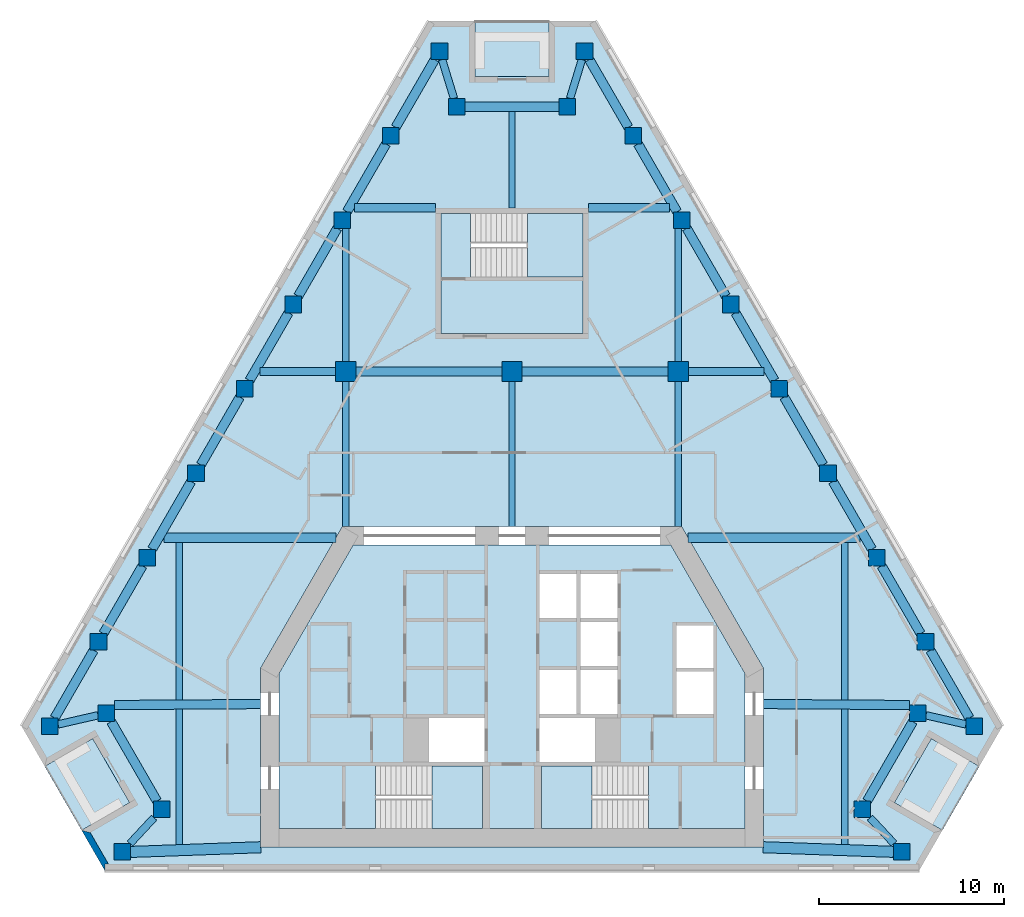
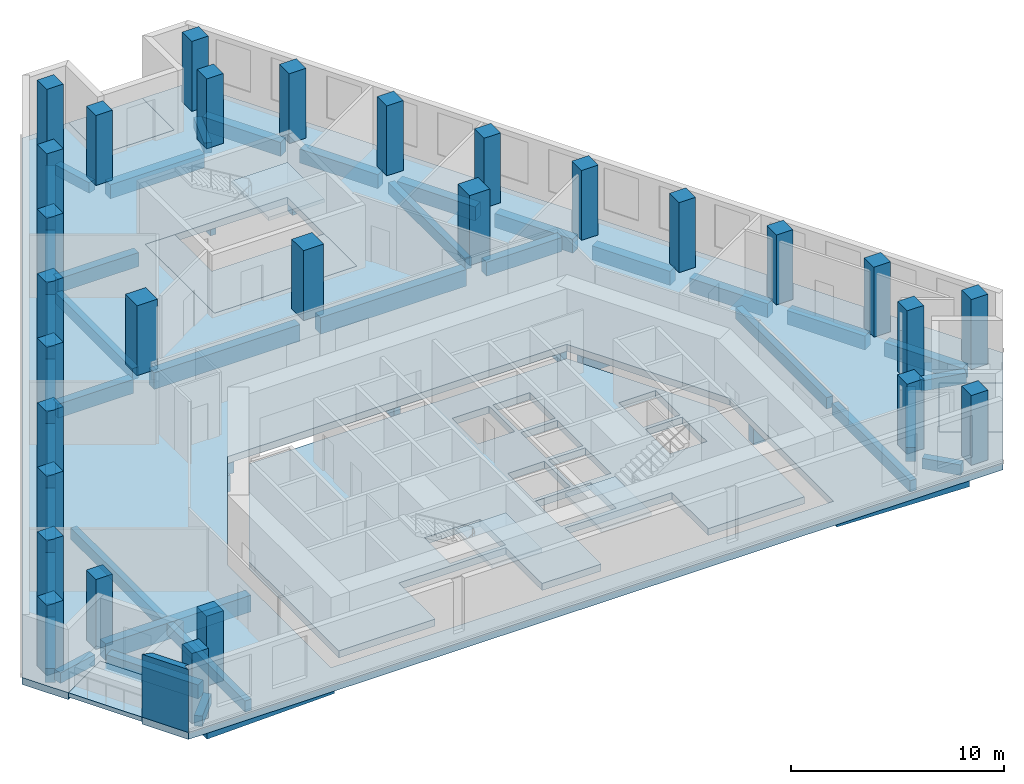
# One storey, part 1 of 8: 47 beams, 29 columns, 9 slabs, 1 wall, 3 elements without a shape of their own.
"""IFC4 building model written with IfcOpenShell, lengths in metres."""

from ifc_helpers import new_model, si_unit, direction, frame, origin, origin_2d, place, context, subcontext, project, spatial, polyline, rectangle, outline, extrude, material, layer, layer_set, material_profile, profile_set, type_object, element, aggregate, save


model = new_model("IFC4")

# Units and contexts
model_context = context("Model", 3, precision=1e-05, world=origin(), true_north=direction((0.0, 1.0)))
body_context = subcontext(model_context, "Body", "Model", "MODEL_VIEW")
ifc_project = project(units=[si_unit("LENGTHUNIT", "METRE"), si_unit("AREAUNIT", "SQUARE_METRE"), si_unit("VOLUMEUNIT", "CUBIC_METRE"), si_unit("PLANEANGLEUNIT", "RADIAN"), si_unit("MASSUNIT", "GRAM", prefix="KILO")], contexts=[model_context])

# Site, building, storey
site_placement = place(None, origin())
site = spatial("IfcSite", under=ifc_project, at=site_placement, CompositionType="ELEMENT")
building_placement = place(site_placement, origin())
building = spatial("IfcBuilding", under=site, at=building_placement, Name="Fogline Exchange Tower", CompositionType="ELEMENT")
storey_placement = place(building_placement, frame((0.0, 0.0, 239.5)))
storey = spatial("IfcBuildingStorey", under=building, at=storey_placement, Name="L54", CompositionType="ELEMENT", Elevation=239.5)

# Columns
ifc_material_1 = material(Name="Concrete C60", Category="concrete")
ifc_material_profile_1 = material_profile(ifc_material_1, rectangle(XDim=1.10009765625, YDim=1.10009765625, at=origin_2d()), Name="RC 1100x1100")
ifc_profile_set_1 = profile_set([ifc_material_profile_1], Name="Concrete C60")
column_type_1 = type_object("IfcColumnType", Name="C05", PredefinedType="COLUMN", material=ifc_profile_set_1)
for number, where, z_axis, x_axis, name in (
    (1, (-9.0, 27.0, 0.0), (0.0, 0.0, 1.0), (1.0, 0.0, 0.0), "IC--9-27"),
    (2, (0.0, 27.0, 0.0), (0.0, 0.0, 1.0), (1.0, 0.0, 0.0), "IC-0-27"),
    (3, (9.0, 27.0, 0.0), (0.0, 0.0, 1.0), (1.0, 0.0, 0.0), "IC-9-27"),
):
    element("IfcColumn", number, at=place(storey_placement, frame(where, z_axis=z_axis, x_axis=x_axis)), inside=storey, type_object=column_type_1, Name=name, PredefinedType="COLUMN", context=body_context, shape_type="SweptSolid", body=[
        extrude(rectangle(XDim=1.10009765625, YDim=1.10009765625, at=origin_2d()), origin(), (0.0, 0.0, 1.0), 4.0),
    ])
ifc_material_profile_2 = material_profile(ifc_material_1, rectangle(XDim=0.89990234375, YDim=0.89990234375, at=origin_2d()), Name="RC 900x900")
ifc_profile_set_2 = profile_set([ifc_material_profile_2], Name="Concrete C60")
column_type_2 = type_object("IfcColumnType", Name="C06", PredefinedType="COLUMN", material=ifc_profile_set_2)
for number, where, z_axis, x_axis, name in (
    (4, (-25.0146484375, 7.794189453125, 0.0), (0.0, 0.0, 1.0), (1.0, 0.0, 0.0), "SW-a"),
    (5, (-21.955322265625, 8.4951171875, 0.0), (0.0, 0.0, 1.0), (1.0, 0.0, 0.0), "SW-p4"),
    (6, (-18.955322265625, 3.299072265625, 0.0), (0.0, 0.0, 1.0), (1.0, 0.0, 0.0), "SW-p3"),
    (7, (-21.092041015625, 1.0, 0.0), (0.0, 0.0, 1.0), (1.0, 0.0, 0.0), "SW-b"),
    (8, (21.092041015625, 1.0, 0.0), (0.0, 0.0, 1.0), (1.0, 0.0, 0.0), "SE-a"),
    (9, (18.955322265625, 3.299072265625, 0.0), (0.0, 0.0, 1.0), (1.0, 0.0, 0.0), "SE-p4"),
    (10, (21.955322265625, 8.4951171875, 0.0), (0.0, 0.0, 1.0), (1.0, 0.0, 0.0), "SE-p3"),
    (11, (25.0146484375, 7.794189453125, 0.0), (0.0, 0.0, 1.0), (1.0, 0.0, 0.0), "SE-b"),
    (12, (22.378173828125, 12.36083984375, 0.0), (0.0, 0.0, 1.0), (1.0, 0.0, 0.0), "E1"),
    (13, (19.74169921875, 16.92724609375, 0.0), (0.0, 0.0, 1.0), (1.0, 0.0, 0.0), "E2"),
    (14, (17.105224609375, 21.493896484375, 0.0), (0.0, 0.0, 1.0), (1.0, 0.0, 0.0), "E3"),
    (15, (14.46875, 26.060302734375, 0.0), (0.0, 0.0, 1.0), (1.0, 0.0, 0.0), "E4"),
    (16, (11.832275390625, 30.626953125, 0.0), (0.0, 0.0, 1.0), (1.0, 0.0, 0.0), "E5"),
    (17, (9.19580078125, 35.193603515625, 0.0), (0.0, 0.0, 1.0), (1.0, 0.0, 0.0), "E6"),
    (18, (6.55908203125, 39.760009765625, 0.0), (0.0, 0.0, 1.0), (1.0, 0.0, 0.0), "E7"),
    (19, (3.922607421875, 44.32666015625, 0.0), (0.0, 0.0, 1.0), (1.0, 0.0, 0.0), "N-a"),
    (20, (3.0, 41.32666015625, 0.0), (0.0, 0.0, 1.0), (1.0, 0.0, 0.0), "N-p4"),
    (21, (-3.0, 41.32666015625, 0.0), (0.0, 0.0, 1.0), (1.0, 0.0, 0.0), "N-p3"),
    (22, (-3.922607421875, 44.32666015625, 0.0), (0.0, 0.0, 1.0), (1.0, 0.0, 0.0), "N-b"),
    (23, (-6.55908203125, 39.760009765625, 0.0), (0.0, 0.0, 1.0), (1.0, 0.0, 0.0), "W1"),
    (24, (-9.19580078125, 35.193603515625, 0.0), (0.0, 0.0, 1.0), (1.0, 0.0, 0.0), "W2"),
    (25, (-11.832275390625, 30.626953125, 0.0), (0.0, 0.0, 1.0), (1.0, 0.0, 0.0), "W3"),
    (26, (-14.46875, 26.060302734375, 0.0), (0.0, 0.0, 1.0), (1.0, 0.0, 0.0), "W4"),
    (27, (-17.105224609375, 21.493896484375, 0.0), (0.0, 0.0, 1.0), (1.0, 0.0, 0.0), "W5"),
    (28, (-19.74169921875, 16.92724609375, 0.0), (0.0, 0.0, 1.0), (1.0, 0.0, 0.0), "W6"),
    (29, (-22.378173828125, 12.36083984375, 0.0), (0.0, 0.0, 1.0), (1.0, 0.0, 0.0), "W7"),
):
    element("IfcColumn", number, at=place(storey_placement, frame(where, z_axis=z_axis, x_axis=x_axis)), inside=storey, type_object=column_type_2, Name=name, PredefinedType="COLUMN", context=body_context, shape_type="SweptSolid", body=[
        extrude(rectangle(XDim=0.89990234375, YDim=0.89990234375, at=origin_2d()), origin(), (0.0, 0.0, 1.0), 4.0),
    ])

# Beams
ifc_material_2 = material(Name="Concrete C40", Category="concrete")
ifc_material_profile_3 = material_profile(ifc_material_2, rectangle(XDim=0.300048828125, YDim=0.60009765625, at=origin_2d()), Name="RC 300x600")
ifc_profile_set_3 = profile_set([ifc_material_profile_3], Name="Concrete C40")
beam_type_1 = type_object("IfcBeamType", Name="B06", PredefinedType="BEAM", material=ifc_profile_set_3)
beam_1_placement = place(storey_placement, frame((0.0, 35.85693359375, -0.699951171875), z_axis=(0.0, 1.0, 0.0), x_axis=(-1.0, 0.0, 0.0)))
element("IfcBeam", 30, at=beam_1_placement, inside=storey, type_object=beam_type_1, Name="SB006", PredefinedType="BEAM", context=body_context, shape_type="SweptSolid", body=[
    extrude(rectangle(XDim=0.300048828125, YDim=0.60009765625, at=origin_2d()), origin(), (0.0, 0.0, 1.0), 5.2197265625),
])
ifc_material_profile_4 = material_profile(ifc_material_2, rectangle(XDim=0.60009765625, YDim=0.89990234375, at=origin_2d()), Name="RC 600x900")
ifc_profile_set_4 = profile_set([ifc_material_profile_4], Name="Concrete C40")
beam_type_2 = type_object("IfcBeamType", Name="B09", PredefinedType="BEAM", material=ifc_profile_set_4)
beam_2_placement = place(storey_placement, frame((-20.64208984375, 0.99462890625, -0.85009765625), z_axis=(0.999343107492, 0.036240219472, 0.0), x_axis=(-0.036240219472, 0.999343107492, 0.0)))
element("IfcBeam", 31, at=beam_2_placement, inside=storey, type_object=beam_type_2, Name="RB004", PredefinedType="BEAM", context=body_context, shape_type="SweptSolid", body=[
    extrude(rectangle(XDim=0.60009765625, YDim=0.89990234375, at=origin_2d()), origin(), (0.0, 0.0, 1.0), 7.046630859375),
])
beam_3_placement = place(storey_placement, frame((13.60009765625, 1.25, -0.85009765625), z_axis=(0.99937042328, -0.035478966629, 0.0), x_axis=(0.035478966629, 0.99937042328, 0.0)))
element("IfcBeam", 32, at=beam_3_placement, inside=storey, type_object=beam_type_2, Name="RB005", PredefinedType="BEAM", context=body_context, shape_type="SweptSolid", body=[
    extrude(rectangle(XDim=0.60009765625, YDim=0.89990234375, at=origin_2d()), origin(), (0.0, 0.0, 1.0), 7.04638671875),
])
ifc_material_profile_5 = material_profile(ifc_material_2, rectangle(XDim=0.5, YDim=0.800048828125, at=origin_2d()), Name="RC 500x800")
ifc_profile_set_5 = profile_set([ifc_material_profile_5], Name="Concrete C40")
beam_type_3 = type_object("IfcBeamType", Name="B10", PredefinedType="BEAM", material=ifc_profile_set_5)
for number, where, z_axis, x_axis, name in (
    (33, (-21.6953125, 8.045166015625, -0.800048828125), (0.499976646485, -0.866038886523, 0.0), (0.866038886523, 0.499976646485, 0.0), "RB002"),
    (34, (19.215087890625, 3.7490234375, -0.800048828125), (0.499976646485, 0.866038886523, 0.0), (-0.866038886523, 0.499976646485, 0.0), "RB007"),
):
    element("IfcBeam", number, at=place(storey_placement, frame(where, z_axis=z_axis, x_axis=x_axis)), inside=storey, type_object=beam_type_3, Name=name, PredefinedType="BEAM", context=body_context, shape_type="SweptSolid", body=[
        extrude(rectangle(XDim=0.5, YDim=0.800048828125, at=origin_2d()), origin(), (0.0, 0.0, 1.0), 4.960693359375),
    ])
beam_4_placement = place(storey_placement, frame((24.7548828125, 8.244140625, -0.800048828125), z_axis=(-0.499990325971, 0.866030989016, 0.0), x_axis=(-0.866030989016, -0.499990325971, 0.0)))
element("IfcBeam", 35, at=beam_4_placement, inside=storey, type_object=beam_type_3, Name="RB009", PredefinedType="BEAM", context=body_context, shape_type="SweptSolid", body=[
    extrude(rectangle(XDim=0.5, YDim=0.800048828125, at=origin_2d()), origin(), (0.0, 0.0, 1.0), 4.23388671875),
])
beam_5_placement = place(storey_placement, frame((22.118408203125, 12.810791015625, -0.800048828125), z_axis=(-0.500015295222, 0.866016572904, 0.0), x_axis=(-0.866016572904, -0.500015295222, 0.0)))
element("IfcBeam", 36, at=beam_5_placement, inside=storey, type_object=beam_type_3, Name="RB010", PredefinedType="BEAM", context=body_context, shape_type="SweptSolid", body=[
    extrude(rectangle(XDim=0.5, YDim=0.800048828125, at=origin_2d()), origin(), (0.0, 0.0, 1.0), 4.233642578125),
])
beam_6_placement = place(storey_placement, frame((19.481689453125, 17.377197265625, -0.800048828125), z_axis=(-0.499947076772, 0.866055956868, 0.0), x_axis=(-0.866055956868, -0.499947076772, 0.0)))
element("IfcBeam", 37, at=beam_6_placement, inside=storey, type_object=beam_type_3, Name="RB011", PredefinedType="BEAM", context=body_context, shape_type="SweptSolid", body=[
    extrude(rectangle(XDim=0.5, YDim=0.800048828125, at=origin_2d()), origin(), (0.0, 0.0, 1.0), 4.23388671875),
])
for number, where, z_axis, x_axis, name in (
    (38, (16.84521484375, 21.94384765625, -0.800048828125), (-0.499972045304, 0.866041542834, 0.0), (-0.866041542834, -0.499972045304, 0.0), "RB012"),
    (39, (14.208740234375, 26.510498046875, -0.800048828125), (-0.499972045304, 0.866041542834, 0.0), (-0.866041542834, -0.499972045304, 0.0), "RB013"),
    (40, (11.572265625, 31.076904296875, -0.800048828125), (-0.499972045304, 0.866041542834, 0.0), (-0.866041542834, -0.499972045304, 0.0), "RB014"),
    (41, (8.935791015625, 35.6435546875, -0.800048828125), (-0.499972045304, 0.866041542834, 0.0), (-0.866041542834, -0.499972045304, 0.0), "RB015"),
    (42, (6.29931640625, 40.210205078125, -0.800048828125), (-0.499972045304, 0.866041542834, 0.0), (-0.866041542834, -0.499972045304, 0.0), "RB016"),
):
    element("IfcBeam", number, at=place(storey_placement, frame(where, z_axis=z_axis, x_axis=x_axis)), inside=storey, type_object=beam_type_3, Name=name, PredefinedType="BEAM", context=body_context, shape_type="SweptSolid", body=[
        extrude(rectangle(XDim=0.5, YDim=0.800048828125, at=origin_2d()), origin(), (0.0, 0.0, 1.0), 4.233642578125),
    ])
beam_7_placement = place(storey_placement, frame((2.550048828125, 41.32666015625, -0.800048828125), z_axis=(-1.0, 0.0, 0.0), x_axis=(0.0, -1.0, 0.0)))
element("IfcBeam", 43, at=beam_7_placement, inside=storey, type_object=beam_type_3, Name="RB018", PredefinedType="BEAM", context=body_context, shape_type="SweptSolid", body=[
    extrude(rectangle(XDim=0.5, YDim=0.800048828125, at=origin_2d()), origin(), (0.0, 0.0, 1.0), 5.10009765625),
])
for number, where, z_axis, x_axis, name in (
    (44, (-4.1826171875, 43.876708984375, -0.800048828125), (-0.499972045304, -0.866041542834, 0.0), (0.866041542834, -0.499972045304, 0.0), "RB020"),
    (45, (-6.819091796875, 39.31005859375, -0.800048828125), (-0.499972045304, -0.866041542834, 0.0), (0.866041542834, -0.499972045304, 0.0), "RB021"),
    (46, (-9.45556640625, 34.743408203125, -0.800048828125), (-0.499972045304, -0.866041542834, 0.0), (0.866041542834, -0.499972045304, 0.0), "RB022"),
    (47, (-12.092041015625, 30.177001953125, -0.800048828125), (-0.499972045304, -0.866041542834, 0.0), (0.866041542834, -0.499972045304, 0.0), "RB023"),
    (48, (-14.728515625, 25.6103515625, -0.800048828125), (-0.499972045304, -0.866041542834, 0.0), (0.866041542834, -0.499972045304, 0.0), "RB024"),
):
    element("IfcBeam", number, at=place(storey_placement, frame(where, z_axis=z_axis, x_axis=x_axis)), inside=storey, type_object=beam_type_3, Name=name, PredefinedType="BEAM", context=body_context, shape_type="SweptSolid", body=[
        extrude(rectangle(XDim=0.5, YDim=0.800048828125, at=origin_2d()), origin(), (0.0, 0.0, 1.0), 4.233642578125),
    ])
beam_8_placement = place(storey_placement, frame((-17.364990234375, 21.0439453125, -0.800048828125), z_axis=(-0.499947076772, -0.866055956868, 0.0), x_axis=(0.866055956868, -0.499947076772, 0.0)))
element("IfcBeam", 49, at=beam_8_placement, inside=storey, type_object=beam_type_3, Name="RB025", PredefinedType="BEAM", context=body_context, shape_type="SweptSolid", body=[
    extrude(rectangle(XDim=0.5, YDim=0.800048828125, at=origin_2d()), origin(), (0.0, 0.0, 1.0), 4.23388671875),
])
beam_9_placement = place(storey_placement, frame((-20.00146484375, 16.477294921875, -0.800048828125), z_axis=(-0.500015295222, -0.866016572904, 0.0), x_axis=(0.866016572904, -0.500015295222, 0.0)))
element("IfcBeam", 50, at=beam_9_placement, inside=storey, type_object=beam_type_3, Name="RB026", PredefinedType="BEAM", context=body_context, shape_type="SweptSolid", body=[
    extrude(rectangle(XDim=0.5, YDim=0.800048828125, at=origin_2d()), origin(), (0.0, 0.0, 1.0), 4.233642578125),
])
beam_10_placement = place(storey_placement, frame((-22.637939453125, 11.910888671875, -0.800048828125), z_axis=(-0.499990325971, -0.866030989016, 0.0), x_axis=(0.866030989016, -0.499990325971, 0.0)))
element("IfcBeam", 51, at=beam_10_placement, inside=storey, type_object=beam_type_3, Name="RB027", PredefinedType="BEAM", context=body_context, shape_type="SweptSolid", body=[
    extrude(rectangle(XDim=0.5, YDim=0.800048828125, at=origin_2d()), origin(), (0.0, 0.0, 1.0), 4.23388671875),
])
ifc_material_profile_6 = material_profile(ifc_material_2, rectangle(XDim=0.39990234375, YDim=0.60009765625, at=origin_2d()), Name="RC 400x600")
ifc_profile_set_6 = profile_set([ifc_material_profile_6], Name="Concrete C40")
beam_type_4 = type_object("IfcBeamType", Name="B11", PredefinedType="BEAM", material=ifc_profile_set_6)
beam_11_placement = place(storey_placement, frame((-24.564697265625, 7.897216796875, -0.699951171875), z_axis=(0.974731818643, 0.223378337636, 0.0), x_axis=(-0.223378337636, 0.974731818643, 0.0)))
element("IfcBeam", 52, at=beam_11_placement, inside=storey, type_object=beam_type_4, Name="RB001", PredefinedType="BEAM", context=body_context, shape_type="SweptSolid", body=[
    extrude(rectangle(XDim=0.39990234375, YDim=0.60009765625, at=origin_2d()), origin(), (0.0, 0.0, 1.0), 2.21533203125),
])
for number, where, z_axis, x_axis, name in (
    (53, (-19.37353515625, 2.84912109375, -0.699951171875), (-0.68075009804, -0.732515736362, 0.0), (0.732515736362, -0.68075009804, 0.0), "RB003"),
    (54, (20.673828125, 1.449951171875, -0.699951171875), (-0.68075009804, 0.732515736362, 0.0), (-0.732515736362, -0.68075009804, 0.0), "RB006"),
):
    element("IfcBeam", number, at=place(storey_placement, frame(where, z_axis=z_axis, x_axis=x_axis)), inside=storey, type_object=beam_type_4, Name=name, PredefinedType="BEAM", context=body_context, shape_type="SweptSolid", body=[
        extrude(rectangle(XDim=0.39990234375, YDim=0.60009765625, at=origin_2d()), origin(), (0.0, 0.0, 1.0), 1.91015625),
    ])
beam_12_placement = place(storey_placement, frame((22.4052734375, 8.39208984375, -0.699951171875), z_axis=(0.974731818643, -0.223378337636, 0.0), x_axis=(0.223378337636, 0.974731818643, 0.0)))
element("IfcBeam", 55, at=beam_12_placement, inside=storey, type_object=beam_type_4, Name="RB008", PredefinedType="BEAM", context=body_context, shape_type="SweptSolid", body=[
    extrude(rectangle(XDim=0.39990234375, YDim=0.60009765625, at=origin_2d()), origin(), (0.0, 0.0, 1.0), 2.21533203125),
])
for number, where, z_axis, x_axis, name in (
    (56, (3.7841796875, 43.876708984375, -0.699951171875), (-0.293906253456, -0.95583425037, 0.0), (0.95583425037, -0.293906253456, 0.0), "RB017"),
    (57, (-3.138427734375, 41.776611328125, -0.699951171875), (-0.293906253456, 0.95583425037, 0.0), (-0.95583425037, -0.293906253456, 0.0), "RB019"),
):
    element("IfcBeam", number, at=place(storey_placement, frame(where, z_axis=z_axis, x_axis=x_axis)), inside=storey, type_object=beam_type_4, Name=name, PredefinedType="BEAM", context=body_context, shape_type="SweptSolid", body=[
        extrude(rectangle(XDim=0.39990234375, YDim=0.60009765625, at=origin_2d()), origin(), (0.0, 0.0, 1.0), 2.197021484375),
    ])
ifc_material_profile_7 = material_profile(ifc_material_2, rectangle(XDim=0.5, YDim=0.949951171875, at=origin_2d()), Name="RC 500x950")
ifc_profile_set_7 = profile_set([ifc_material_profile_7], Name="Concrete C40")
beam_type_5 = type_object("IfcBeamType", Name="B14", PredefinedType="BEAM", material=ifc_profile_set_7)
for number, where, z_axis, x_axis, name in (
    (58, (-21.50537109375, 8.9453125, -0.875), (0.999976072531, 0.006917684998, 0.0), (-0.006917684998, 0.999976072531, 0.0), "GB001"),
    (59, (13.60009765625, 9.0, -0.875), (0.999976072531, -0.006917684998, 0.0), (0.006917684998, 0.999976072531, 0.0), "GB002"),
):
    element("IfcBeam", number, at=place(storey_placement, frame(where, z_axis=z_axis, x_axis=x_axis)), inside=storey, type_object=beam_type_5, Name=name, PredefinedType="BEAM", context=body_context, shape_type="SweptSolid", body=[
        extrude(rectangle(XDim=0.5, YDim=0.949951171875, at=origin_2d()), origin(), (0.0, 0.0, 1.0), 7.905517578125),
    ])
for number, where, z_axis, x_axis, name in (
    (60, (-18.833740234375, 18.0, -0.875), (1.0, 0.0, 0.0), (0.0, 1.0, 0.0), "GB003"),
    (61, (9.527099609375, 18.0, -0.875), (1.0, 0.0, 0.0), (0.0, 1.0, 0.0), "GB004"),
):
    element("IfcBeam", number, at=place(storey_placement, frame(where, z_axis=z_axis, x_axis=x_axis)), inside=storey, type_object=beam_type_5, Name=name, PredefinedType="BEAM", context=body_context, shape_type="SweptSolid", body=[
        extrude(rectangle(XDim=0.5, YDim=0.949951171875, at=origin_2d()), origin(), (0.0, 0.0, 1.0), 9.306640625),
    ])
for number, where, z_axis, x_axis, name in (
    (62, (-8.449951171875, 27.0, -0.875), (1.0, 0.0, 0.0), (0.0, 1.0, 0.0), "GB006"),
    (63, (0.550048828125, 27.0, -0.875), (1.0, 0.0, 0.0), (0.0, 1.0, 0.0), "GB007"),
):
    element("IfcBeam", number, at=place(storey_placement, frame(where, z_axis=z_axis, x_axis=x_axis)), inside=storey, type_object=beam_type_5, Name=name, PredefinedType="BEAM", context=body_context, shape_type="SweptSolid", body=[
        extrude(rectangle(XDim=0.5, YDim=0.949951171875, at=origin_2d()), origin(), (0.0, 0.0, 1.0), 7.89990234375),
    ])
ifc_material_profile_8 = material_profile(ifc_material_2, rectangle(XDim=0.35009765625, YDim=0.64990234375, at=origin_2d()), Name="RC 350x650")
ifc_profile_set_8 = profile_set([ifc_material_profile_8], Name="Concrete C40")
beam_type_6 = type_object("IfcBeamType", Name="B16", PredefinedType="BEAM", material=ifc_profile_set_8)
beam_13_placement = place(storey_placement, frame((-18.0, 1.390625, -0.72509765625), z_axis=(0.0, 1.0, 0.0), x_axis=(-1.0, 0.0, 0.0)))
element("IfcBeam", 64, at=beam_13_placement, inside=storey, type_object=beam_type_6, Name="SB001", PredefinedType="BEAM", context=body_context, shape_type="SweptSolid", body=[
    extrude(rectangle(XDim=0.35009765625, YDim=0.64990234375, at=origin_2d()), origin(), (0.0, 0.0, 1.0), 7.328857421875),
])
beam_14_placement = place(storey_placement, frame((-18.0, 9.219482421875, -0.72509765625), z_axis=(0.0, 1.0, 0.0), x_axis=(-1.0, 0.0, 0.0)))
element("IfcBeam", 65, at=beam_14_placement, inside=storey, type_object=beam_type_6, Name="SB002", PredefinedType="BEAM", context=body_context, shape_type="SweptSolid", body=[
    extrude(rectangle(XDim=0.35009765625, YDim=0.64990234375, at=origin_2d()), origin(), (0.0, 0.0, 1.0), 8.530517578125),
])
beam_15_placement = place(storey_placement, frame((-9.0, 18.60009765625, -0.72509765625), z_axis=(0.0, 1.0, 0.0), x_axis=(-1.0, 0.0, 0.0)))
element("IfcBeam", 66, at=beam_15_placement, inside=storey, type_object=beam_type_6, Name="SB003", PredefinedType="BEAM", context=body_context, shape_type="SweptSolid", body=[
    extrude(rectangle(XDim=0.35009765625, YDim=0.64990234375, at=origin_2d()), origin(), (0.0, 0.0, 1.0), 7.849853515625),
])
beam_16_placement = place(storey_placement, frame((-9.0, 27.550048828125, -0.72509765625), z_axis=(0.0, 1.0, 0.0), x_axis=(-1.0, 0.0, 0.0)))
element("IfcBeam", 67, at=beam_16_placement, inside=storey, type_object=beam_type_6, Name="SB004", PredefinedType="BEAM", context=body_context, shape_type="SweptSolid", body=[
    extrude(rectangle(XDim=0.35009765625, YDim=0.64990234375, at=origin_2d()), origin(), (0.0, 0.0, 1.0), 7.193359375),
])
for number, where, z_axis, x_axis, name in (
    (68, (0.0, 18.60009765625, -0.72509765625), (0.0, 1.0, 0.0), (-1.0, 0.0, 0.0), "SB005"),
    (69, (9.0, 18.60009765625, -0.72509765625), (0.0, 1.0, 0.0), (-1.0, 0.0, 0.0), "SB007"),
):
    element("IfcBeam", number, at=place(storey_placement, frame(where, z_axis=z_axis, x_axis=x_axis)), inside=storey, type_object=beam_type_6, Name=name, PredefinedType="BEAM", context=body_context, shape_type="SweptSolid", body=[
        extrude(rectangle(XDim=0.35009765625, YDim=0.64990234375, at=origin_2d()), origin(), (0.0, 0.0, 1.0), 7.849853515625),
    ])
beam_17_placement = place(storey_placement, frame((9.0, 27.550048828125, -0.72509765625), z_axis=(0.0, 1.0, 0.0), x_axis=(-1.0, 0.0, 0.0)))
element("IfcBeam", 70, at=beam_17_placement, inside=storey, type_object=beam_type_6, Name="SB008", PredefinedType="BEAM", context=body_context, shape_type="SweptSolid", body=[
    extrude(rectangle(XDim=0.35009765625, YDim=0.64990234375, at=origin_2d()), origin(), (0.0, 0.0, 1.0), 7.193359375),
])
beam_18_placement = place(storey_placement, frame((18.0, 1.39404296875, -0.72509765625), z_axis=(0.0, 1.0, 0.0), x_axis=(-1.0, 0.0, 0.0)))
element("IfcBeam", 71, at=beam_18_placement, inside=storey, type_object=beam_type_6, Name="SB009", PredefinedType="BEAM", context=body_context, shape_type="SweptSolid", body=[
    extrude(rectangle(XDim=0.35009765625, YDim=0.64990234375, at=origin_2d()), origin(), (0.0, 0.0, 1.0), 7.325439453125),
])
beam_19_placement = place(storey_placement, frame((18.0, 9.219482421875, -0.72509765625), z_axis=(0.0, 1.0, 0.0), x_axis=(-1.0, 0.0, 0.0)))
element("IfcBeam", 72, at=beam_19_placement, inside=storey, type_object=beam_type_6, Name="SB010", PredefinedType="BEAM", context=body_context, shape_type="SweptSolid", body=[
    extrude(rectangle(XDim=0.35009765625, YDim=0.64990234375, at=origin_2d()), origin(), (0.0, 0.0, 1.0), 8.530517578125),
])
ifc_material_profile_9 = material_profile(ifc_material_2, rectangle(XDim=0.449951171875, YDim=0.800048828125, at=origin_2d()), Name="RC 450x800")
ifc_profile_set_9 = profile_set([ifc_material_profile_9], Name="Concrete C40")
beam_type_7 = type_object("IfcBeamType", Name="B18", PredefinedType="BEAM", material=ifc_profile_set_9)
for number, where, z_axis, x_axis, name in (
    (73, (-13.637451171875, 27.0, -0.800048828125), (1.0, 0.0, 0.0), (0.0, 1.0, 0.0), "GB005"),
    (74, (9.550048828125, 27.0, -0.800048828125), (1.0, 0.0, 0.0), (0.0, 1.0, 0.0), "GB008"),
):
    element("IfcBeam", number, at=place(storey_placement, frame(where, z_axis=z_axis, x_axis=x_axis)), inside=storey, type_object=beam_type_7, Name=name, PredefinedType="BEAM", context=body_context, shape_type="SweptSolid", body=[
        extrude(rectangle(XDim=0.449951171875, YDim=0.800048828125, at=origin_2d()), origin(), (0.0, 0.0, 1.0), 4.08740234375),
    ])
for number, where, z_axis, x_axis, name in (
    (75, (-8.52392578125, 35.85693359375, -0.800048828125), (1.0, 0.0, 0.0), (0.0, 1.0, 0.0), "GB009"),
    (76, (4.14990234375, 35.85693359375, -0.800048828125), (1.0, 0.0, 0.0), (0.0, 1.0, 0.0), "GB010"),
):
    element("IfcBeam", number, at=place(storey_placement, frame(where, z_axis=z_axis, x_axis=x_axis)), inside=storey, type_object=beam_type_7, Name=name, PredefinedType="BEAM", context=body_context, shape_type="SweptSolid", body=[
        extrude(rectangle(XDim=0.449951171875, YDim=0.800048828125, at=origin_2d()), origin(), (0.0, 0.0, 1.0), 4.3740234375),
    ])

# Slabs
ifc_layer_1 = layer(ifc_material_2, 0.25)
ifc_layer_set_1 = layer_set([ifc_layer_1], Name="DK1")
slab_type_1 = type_object("IfcSlabType", Name="DK1", PredefinedType="FLOOR", material=ifc_layer_set_1)
slab_1_placement = place(storey_placement, frame((0.0, 0.0, -0.25)))
element("IfcSlab", 77, at=slab_1_placement, inside=storey, type_object=slab_type_1, Name="Balcony L54 SW", PredefinedType="FLOOR", context=body_context, shape_type="SweptSolid", body=[
    extrude(outline(polyline([(-25.291748046875, 5.629150390625), (-23.291748046875, 2.1650390625), (-20.693603515625, 3.6650390625), (-22.693603515625, 7.129150390625), (-25.291748046875, 5.629150390625)])), origin(), (0.0, 0.0, 1.0), 0.25),
])
slab_2_placement = place(storey_placement, frame((0.0, 0.0, -0.25)))
element("IfcSlab", 78, at=slab_2_placement, inside=storey, type_object=slab_type_1, Name="Balcony L54 SE", PredefinedType="FLOOR", context=body_context, shape_type="SweptSolid", body=[
    extrude(outline(polyline([(23.291748046875, 2.1650390625), (25.291748046875, 5.629150390625), (22.693603515625, 7.129150390625), (20.693603515625, 3.6650390625), (23.291748046875, 2.1650390625)])), origin(), (0.0, 0.0, 1.0), 0.25),
])
slab_3_placement = place(storey_placement, frame((0.0, 0.0, -0.25)))
element("IfcSlab", 79, at=slab_3_placement, inside=storey, type_object=slab_type_1, Name="Balcony L54 N", PredefinedType="FLOOR", context=body_context, shape_type="SweptSolid", body=[
    extrude(outline(polyline([(2.0, 45.9716796875), (-2.0, 45.9716796875), (-2.0, 42.9716796875), (2.0, 42.9716796875), (2.0, 45.9716796875)])), origin(), (0.0, 0.0, 1.0), 0.25),
])
ifc_layer_2 = layer(ifc_material_2, 0.39990234375)
ifc_layer_set_2 = layer_set([ifc_layer_2], Name="S03")
slab_type_2 = type_object("IfcSlabType", Name="S03", PredefinedType="FLOOR", material=ifc_layer_set_2)
slab_4_placement = place(storey_placement, frame((0.0, 0.0, -0.39990234375)))
element("IfcSlab", 80, at=slab_4_placement, inside=storey, type_object=slab_type_2, Name="SLAB L54", PredefinedType="FLOOR", context=body_context, shape_type="SweptSolid", body=[
    extrude(outline(polyline([(-2.0, 45.9716796875), (-4.5, 45.9716796875), (-26.541748046875, 7.794189453125), (-25.291748046875, 5.629150390625), (-22.693603515625, 7.129150390625), (-20.693603515625, 3.6650390625), (-23.291748046875, 2.1650390625), (-22.041748046875, 0.0), (22.041748046875, 0.0), (23.291748046875, 2.1650390625), (20.693603515625, 3.6650390625), (22.693603515625, 7.129150390625), (25.291748046875, 5.629150390625), (26.541748046875, 7.794189453125), (4.5, 45.9716796875), (2.0, 45.9716796875), (2.0, 42.9716796875), (-2.0, 42.9716796875), (-2.0, 45.9716796875)]), holes=[polyline([(13.60009765625, 10.9453125), (13.60009765625, 1.25), (-13.60009765625, 1.25), (-13.60009765625, 10.9453125), (-9.1806640625, 18.60009765625), (9.1806640625, 18.60009765625), (13.60009765625, 10.9453125)]), polyline([(3.85009765625, 35.556884765625), (3.85009765625, 29.056884765625), (-3.85009765625, 29.056884765625), (-3.85009765625, 35.556884765625), (3.85009765625, 35.556884765625)])]), origin(), (0.0, 0.0, 1.0), 0.39990234375),
])
slab_5_placement = place(storey_placement, frame((0.0, 0.0, -0.39990234375)))
element("IfcSlab", 81, at=slab_5_placement, inside=storey, type_object=slab_type_2, Name="Core floor slab", PredefinedType="FLOOR", context=body_context, shape_type="SweptSolid", body=[
    extrude(outline(polyline([(-12.60009765625, 2.25), (-12.60009765625, 10.677490234375), (-8.603271484375, 17.60009765625), (8.603271484375, 17.60009765625), (12.60009765625, 10.677490234375), (12.60009765625, 2.25), (7.389892578125, 2.25), (7.389892578125, 5.64990234375), (1.60009765625, 5.64990234375), (1.60009765625, 2.25), (-1.60009765625, 2.25), (-1.60009765625, 5.64990234375), (-7.389892578125, 5.64990234375), (-7.389892578125, 2.25), (-12.60009765625, 2.25)]), holes=[polyline([(-4.5, 8.25), (-4.5, 5.85009765625), (-1.5, 5.85009765625), (-1.5, 8.25), (-4.5, 8.25)]), polyline([(4.5, 8.25), (1.5, 8.25), (1.5, 5.85009765625), (4.5, 5.85009765625), (4.5, 8.25)]), polyline([(3.5, 10.85009765625), (1.5, 10.85009765625), (1.5, 8.449951171875), (3.5, 8.449951171875), (3.5, 10.85009765625)]), polyline([(1.5, 16.050048828125), (1.5, 13.64990234375), (3.5, 13.64990234375), (3.5, 16.050048828125), (1.5, 16.050048828125)]), polyline([(10.89990234375, 10.75), (8.89990234375, 10.75), (8.89990234375, 8.449951171875), (10.89990234375, 8.449951171875), (10.89990234375, 10.75)]), polyline([(5.699951171875, 10.85009765625), (3.699951171875, 10.85009765625), (3.699951171875, 8.449951171875), (5.699951171875, 8.449951171875), (5.699951171875, 10.85009765625)]), polyline([(8.89990234375, 13.25), (8.89990234375, 10.949951171875), (10.89990234375, 10.949951171875), (10.89990234375, 13.25), (8.89990234375, 13.25)]), polyline([(5.699951171875, 13.449951171875), (3.699951171875, 13.449951171875), (3.699951171875, 11.050048828125), (5.699951171875, 11.050048828125), (5.699951171875, 13.449951171875)]), polyline([(5.699951171875, 16.050048828125), (3.699951171875, 16.050048828125), (3.699951171875, 13.64990234375), (5.699951171875, 13.64990234375), (5.699951171875, 16.050048828125)])]), origin(), (0.0, 0.0, 1.0), 0.39990234375),
])
slab_6_placement = place(storey_placement, frame((0.0, 0.0, -0.39990234375)))
element("IfcSlab", 82, at=slab_6_placement, inside=storey, type_object=slab_type_2, Name="Stair enclosure floor slab", PredefinedType="FLOOR", context=body_context, shape_type="SweptSolid", body=[
    extrude(outline(polyline([(3.85009765625, 29.056884765625), (-3.85009765625, 29.056884765625), (-3.85009765625, 35.556884765625), (-2.239990234375, 35.556884765625), (-2.239990234375, 32.10693359375), (3.85009765625, 32.10693359375), (3.85009765625, 29.056884765625)])), origin(), (0.0, 0.0, 1.0), 0.39990234375),
])

# Stair, slab
stair_type = type_object("IfcStairType", Name="STR24-1667", PredefinedType="HALF_TURN_STAIR", material=ifc_material_2)
stair_1_placement = place(storey_placement, origin())
stair_1 = element("IfcStair", 83, at=stair_1_placement, inside=storey, type_object=stair_type, Name="Stair ST1", PredefinedType="HALF_TURN_STAIR")
ifc_layer_3 = layer(ifc_material_2, 0.199951171875)
ifc_layer_set_3 = layer_set([ifc_layer_3], Name="SL200")
slab_type_3 = type_object("IfcSlabType", Name="SL200", PredefinedType="LANDING", material=ifc_layer_set_3)
slab_7_placement = place(storey_placement, frame((0.0, 0.0, 1.800048828125)))
slab_7 = element("IfcSlab", 84, at=slab_7_placement, type_object=slab_type_3, Name="ST1 landing 1", PredefinedType="LANDING", context=body_context, shape_type="SweptSolid", body=[
    extrude(outline(polyline([(-4.320068359375, 2.25), (-1.60009765625, 2.25), (-1.60009765625, 5.64990234375), (-4.320068359375, 5.64990234375), (-4.320068359375, 2.25)])), origin(), (0.0, 0.0, 1.0), 0.199951171875),
])
aggregate(stair_1, [slab_7])

stair_2_placement = place(storey_placement, origin())
stair_2 = element("IfcStair", 85, at=stair_2_placement, inside=storey, type_object=stair_type, Name="Stair ST2", PredefinedType="HALF_TURN_STAIR")
slab_8_placement = place(storey_placement, frame((0.0, 0.0, 1.800048828125)))
slab_8 = element("IfcSlab", 86, at=slab_8_placement, type_object=slab_type_3, Name="ST2 landing 1", PredefinedType="LANDING", context=body_context, shape_type="SweptSolid", body=[
    extrude(outline(polyline([(1.60009765625, 2.25), (4.320068359375, 2.25), (4.320068359375, 5.64990234375), (1.60009765625, 5.64990234375), (1.60009765625, 2.25)])), origin(), (0.0, 0.0, 1.0), 0.199951171875),
])
aggregate(stair_2, [slab_8])

stair_3_placement = place(storey_placement, origin())
stair_3 = element("IfcStair", 87, at=stair_3_placement, inside=storey, type_object=stair_type, Name="Stair ST3", PredefinedType="HALF_TURN_STAIR")
slab_9_placement = place(storey_placement, frame((0.0, 0.0, 1.800048828125)))
slab_9 = element("IfcSlab", 88, at=slab_9_placement, type_object=slab_type_3, Name="ST3 landing 1", PredefinedType="LANDING", context=body_context, shape_type="SweptSolid", body=[
    extrude(outline(polyline([(0.830078125, 32.10693359375), (3.85009765625, 32.10693359375), (3.85009765625, 35.556884765625), (0.830078125, 35.556884765625), (0.830078125, 32.10693359375)])), origin(), (0.0, 0.0, 1.0), 0.199951171875),
])
aggregate(stair_3, [slab_9])

# Wall
ifc_material_3 = material(Name="Brick masonry", Category="masonry")
ifc_layer_4 = layer(ifc_material_3, 0.340087890625)
ifc_layer_set_4 = layer_set([ifc_layer_4], Name="FW1")
wall_type = type_object("IfcWallType", Name="FW1", PredefinedType="SOLIDWALL", material=ifc_layer_set_4)
wall_placement = place(storey_placement, origin())
element("IfcWall", 89, at=wall_placement, inside=storey, type_object=wall_type, Name="Brick wall L54 SW-c2", PredefinedType="SOLIDWALL", context=body_context, shape_type="SweptSolid", body=[
    extrude(outline(polyline([(-21.844482421875, 0.33935546875), (-22.041259765625, 0.33935546875), (-22.041259765625, -0.0009765625), (-22.041748046875, -0.001220703125), (-23.292724609375, 2.165771484375), (-23.29248046875, 2.166015625), (-22.826904296875, 2.041015625), (-21.844482421875, 0.33935546875)])), origin(), (0.0, 0.0, 1.0), 3.60009765625),
])

save(model, "model.ifc")
